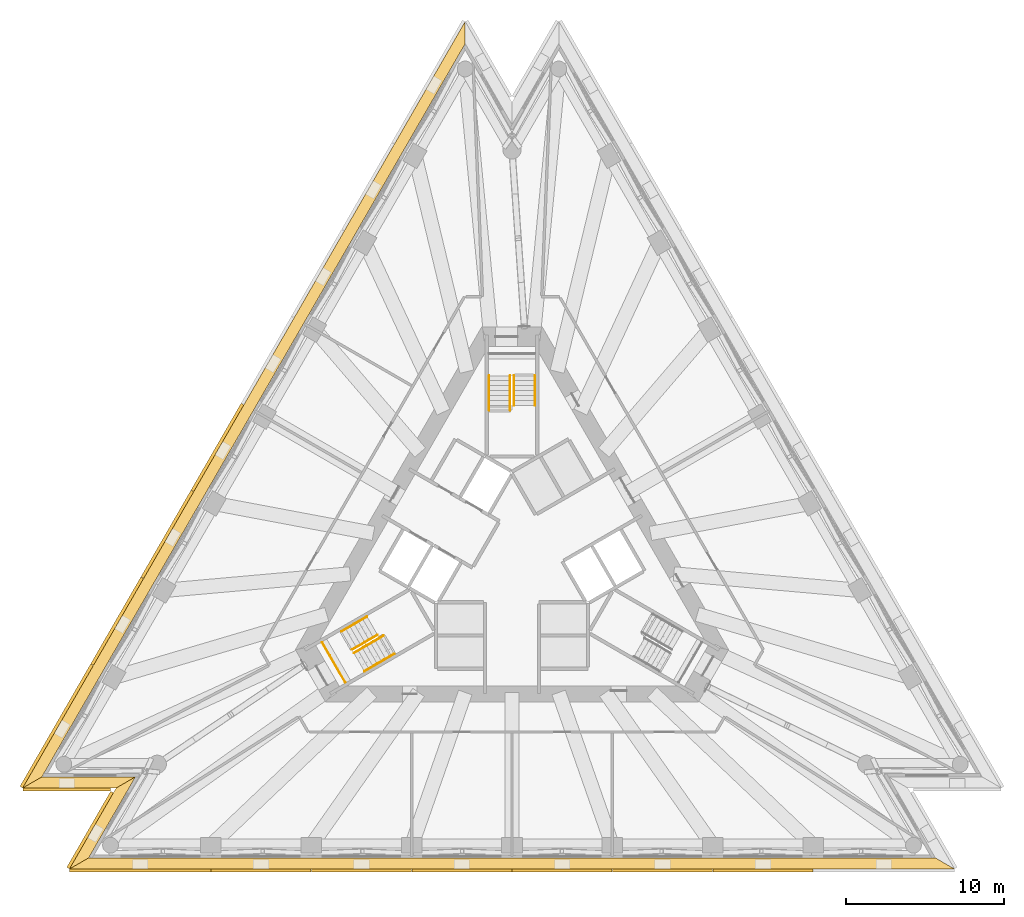
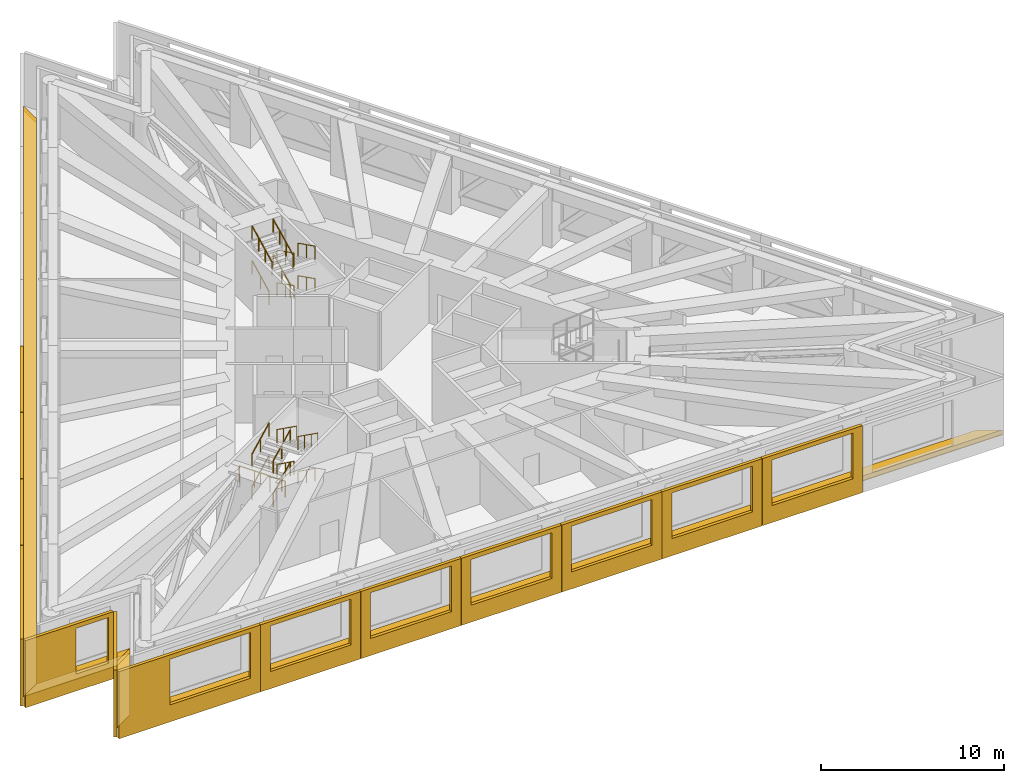
# One storey, part 11 of 12: 17 railings, 17 shading devices, 4 coverings, 2 elements without a shape of their own.
"""IFC4 building model written with IfcOpenShell, lengths in metres."""

from ifc_helpers import new_model, si_unit, direction, frame, origin, origin_2d, place, context, subcontext, project, spatial, polyline, circle, outline, extrude, material, layer, layer_set, layer_usage, type_object, element, aggregate, save


model = new_model("IFC4")

# Units and contexts
model_context = context("Model", 3, precision=1e-05, world=origin(), true_north=direction((0.0, 1.0)))
body_context = subcontext(model_context, "Body", "Model", "MODEL_VIEW")
ifc_project = project(units=[si_unit("LENGTHUNIT", "METRE"), si_unit("AREAUNIT", "SQUARE_METRE"), si_unit("VOLUMEUNIT", "CUBIC_METRE"), si_unit("PLANEANGLEUNIT", "RADIAN"), si_unit("MASSUNIT", "GRAM", prefix="KILO")], contexts=[model_context])

# Site, building, storey
site_placement = place(None, origin())
site = spatial("IfcSite", under=ifc_project, at=site_placement, CompositionType="ELEMENT")
building_placement = place(site_placement, origin())
building = spatial("IfcBuilding", under=site, at=building_placement, Name="Triada Interchange Tower", CompositionType="ELEMENT")
storey_placement = place(building_placement, frame((0.0, 0.0, 180.800048828125)))
storey = spatial("IfcBuildingStorey", under=building, at=storey_placement, Name="L42", CompositionType="ELEMENT", Elevation=180.800048828125)

# Coverings
ifc_material_1 = material(Name="Mineral fire-stop board")
ifc_layer_1 = layer(ifc_material_1, 0.0400390625, Name="Mineral fire-stop board")
ifc_material_2 = material(Name="Intumescent sealant")
ifc_layer_2 = layer(ifc_material_2, 0.010009765625, Name="Intumescent seal")
ifc_layer_set_1 = layer_set([ifc_layer_1, ifc_layer_2], Name="Cavity fire stop")
ifc_layer_usage = layer_usage(ifc_layer_set_1, "AXIS3", "POSITIVE", 0.0)
covering_type = type_object("IfcCoveringType", Name="Cavity fire stop", PredefinedType="INSULATION", material=ifc_layer_set_1)
covering_1_placement = place(storey_placement, origin())
element("IfcCovering", 1, at=covering_1_placement, inside=storey, type_object=covering_type, material=ifc_layer_usage, Name="Cavity fire stop L42 NW", PredefinedType="INSULATION", context=body_context, shape_type="SweptSolid", body=[
    extrude(outline(polyline([(-2.9541015625, 32.5849609375), (-2.9541015625, 33.985107421875), (-30.908935546875, -14.43408203125), (-29.697021484375, -13.73388671875), (-2.9541015625, 32.5849609375)])), origin(), (0.0, 0.0, 1.0), 0.050048828125),
])
covering_2_placement = place(storey_placement, origin())
element("IfcCovering", 2, at=covering_2_placement, inside=storey, type_object=covering_type, material=ifc_layer_usage, Name="Cavity fire stop L42 SW-1", PredefinedType="INSULATION", context=body_context, shape_type="SweptSolid", body=[
    extrude(outline(polyline([(-29.697021484375, -13.73388671875), (-30.908935546875, -14.43408203125), (-25.0009765625, -14.43408203125), (-23.7890625, -13.73388671875), (-29.697021484375, -13.73388671875)])), origin(), (0.0, 0.0, 1.0), 0.050048828125),
])
covering_3_placement = place(storey_placement, origin())
element("IfcCovering", 3, at=covering_3_placement, inside=storey, type_object=covering_type, material=ifc_layer_usage, Name="Cavity fire stop L42 SW-2", PredefinedType="INSULATION", context=body_context, shape_type="SweptSolid", body=[
    extrude(outline(polyline([(-23.7890625, -13.73388671875), (-25.0009765625, -14.43408203125), (-27.955078125, -19.551025390625), (-26.742919921875, -18.85107421875), (-23.7890625, -13.73388671875)])), origin(), (0.0, 0.0, 1.0), 0.050048828125),
])
covering_4_placement = place(storey_placement, origin())
element("IfcCovering", 4, at=covering_4_placement, inside=storey, type_object=covering_type, material=ifc_layer_usage, Name="Cavity fire stop L42 S", PredefinedType="INSULATION", context=body_context, shape_type="SweptSolid", body=[
    extrude(outline(polyline([(-26.742919921875, -18.85107421875), (-27.955078125, -19.551025390625), (27.955078125, -19.551025390625), (26.742919921875, -18.85107421875), (-26.742919921875, -18.85107421875)])), origin(), (0.0, 0.0, 1.0), 0.050048828125),
])

# Shading devices
ifc_material_3 = material(Name="Aluminium louvre", Category="aluminium")
shading_device_type_1 = type_object("IfcShadingDeviceType", Name="Cavity louvre grille", PredefinedType="JALOUSIE", material=ifc_material_3)
shading_device_1_placement = place(storey_placement, frame((0.0, 0.0, 0.050048828125)))
element("IfcShadingDevice", 5, at=shading_device_1_placement, inside=storey, type_object=shading_device_type_1, Name="Cavity louvre grille L42 NW", PredefinedType="JALOUSIE", context=body_context, shape_type="SweptSolid", body=[
    extrude(outline(polyline([(-2.9541015625, 32.5849609375), (-2.9541015625, 33.985107421875), (-30.908935546875, -14.43408203125), (-29.697021484375, -13.73388671875), (-2.9541015625, 32.5849609375)])), origin(), (0.0, 0.0, 1.0), 0.2998046875),
])
shading_device_2_placement = place(storey_placement, frame((0.0, 0.0, 0.050048828125)))
element("IfcShadingDevice", 6, at=shading_device_2_placement, inside=storey, type_object=shading_device_type_1, Name="Cavity louvre grille L42 SW-1", PredefinedType="JALOUSIE", context=body_context, shape_type="SweptSolid", body=[
    extrude(outline(polyline([(-29.697021484375, -13.73388671875), (-30.908935546875, -14.43408203125), (-25.0009765625, -14.43408203125), (-23.7890625, -13.73388671875), (-29.697021484375, -13.73388671875)])), origin(), (0.0, 0.0, 1.0), 0.2998046875),
])
shading_device_3_placement = place(storey_placement, frame((0.0, 0.0, 0.050048828125)))
element("IfcShadingDevice", 7, at=shading_device_3_placement, inside=storey, type_object=shading_device_type_1, Name="Cavity louvre grille L42 SW-2", PredefinedType="JALOUSIE", context=body_context, shape_type="SweptSolid", body=[
    extrude(outline(polyline([(-23.7890625, -13.73388671875), (-25.0009765625, -14.43408203125), (-27.955078125, -19.551025390625), (-26.742919921875, -18.85107421875), (-23.7890625, -13.73388671875)])), origin(), (0.0, 0.0, 1.0), 0.2998046875),
])
shading_device_4_placement = place(storey_placement, frame((0.0, 0.0, 0.050048828125)))
element("IfcShadingDevice", 8, at=shading_device_4_placement, inside=storey, type_object=shading_device_type_1, Name="Cavity louvre grille L42 S", PredefinedType="JALOUSIE", context=body_context, shape_type="SweptSolid", body=[
    extrude(outline(polyline([(-26.742919921875, -18.85107421875), (-27.955078125, -19.551025390625), (27.955078125, -19.551025390625), (26.742919921875, -18.85107421875), (-26.742919921875, -18.85107421875)])), origin(), (0.0, 0.0, 1.0), 0.2998046875),
])
ifc_material_4 = material(Name="Concrete C50/60 precast", Category="concrete")
ifc_layer_3 = layer(ifc_material_4, 0.02001953125, Name="Exposed aggregate face")
ifc_layer_4 = layer(ifc_material_4, 0.179931640625, Name="Precast concrete screen")
ifc_layer_set_2 = layer_set([ifc_layer_3, ifc_layer_4], Name="Outer skin screen panel 4480")
shading_device_type_2 = type_object("IfcShadingDeviceType", Name="Outer skin screen panel 4480", PredefinedType="SHUTTER", material=ifc_layer_set_2)
shading_device_5_placement = place(storey_placement, frame((-16.93701171875, 9.76708984375, -0.590087890625), z_axis=(0.0, 0.0, 1.0), x_axis=(-0.499882983218, -0.866092952915, 0.0)))
element("IfcShadingDevice", 9, at=shading_device_5_placement, inside=storey, type_object=shading_device_type_2, Name="Outer skin screen panel L42 05", PredefinedType="SHUTTER", context=body_context, shape_type="SweptSolid", body=[
    extrude(outline(polyline([(0.0, 0.0), (6.3193359375, 0.0), (6.3193359375, 4.47998046875), (0.0, 4.47998046875), (0.0, 0.0)]), holes=[polyline([(0.60986328125, 1.139892578125), (0.60986328125, 4.18994140625), (5.709716796875, 4.18994140625), (5.709716796875, 1.139892578125), (0.60986328125, 1.139892578125)])]), frame((0.0, 0.0, 0.0), z_axis=(0.0, -1.0, 0.0), x_axis=(1.0, 0.0, 0.0)), (0.0, 0.0, 1.0), 0.199951171875),
])
shading_device_6_placement = place(storey_placement, frame((-20.10595703125, 4.277099609375, -0.590087890625), z_axis=(0.0, 0.0, 1.0), x_axis=(-0.500027861653, -0.866009317254, 0.0)))
element("IfcShadingDevice", 10, at=shading_device_6_placement, inside=storey, type_object=shading_device_type_2, Name="Outer skin screen panel L42 06", PredefinedType="SHUTTER", context=body_context, shape_type="SweptSolid", body=[
    extrude(outline(polyline([(0.0, 0.0), (6.320068359375, 0.0), (6.320068359375, 4.47998046875), (0.0, 4.47998046875), (0.0, 0.0)]), holes=[polyline([(0.609619140625, 1.139892578125), (0.609619140625, 4.18994140625), (5.709716796875, 4.18994140625), (5.709716796875, 1.139892578125), (0.609619140625, 1.139892578125)])]), frame((0.0, 0.0, 0.0), z_axis=(0.0, -1.0, 0.0), x_axis=(1.0, 0.0, 0.0)), (0.0, 0.0, 1.0), 0.199951171875),
])
shading_device_7_placement = place(storey_placement, frame((-23.27587890625, -1.212890625, -0.590087890625), z_axis=(0.0, 0.0, 1.0), x_axis=(-0.499978876315, -0.866037599206, 0.0)))
element("IfcShadingDevice", 11, at=shading_device_7_placement, inside=storey, type_object=shading_device_type_2, Name="Outer skin screen panel L42 07", PredefinedType="SHUTTER", context=body_context, shape_type="SweptSolid", body=[
    extrude(outline(polyline([(0.0, 0.0), (6.318603515625, 0.0), (6.318603515625, 4.47998046875), (0.0, 4.47998046875), (0.0, 0.0)]), holes=[polyline([(0.609375, 1.139892578125), (0.609375, 4.18994140625), (5.70947265625, 4.18994140625), (5.70947265625, 1.139892578125), (0.609375, 1.139892578125)])]), frame((0.0, 0.0, 0.0), z_axis=(0.0, -1.0, 0.0), x_axis=(1.0, 0.0, 0.0)), (0.0, 0.0, 1.0), 0.199951171875),
])
shading_device_8_placement = place(storey_placement, frame((-26.446044921875, -6.702880859375, -0.590087890625), z_axis=(0.0, 0.0, 1.0), x_axis=(-0.499967368674, -0.86604424267, 0.0)))
element("IfcShadingDevice", 12, at=shading_device_8_placement, inside=storey, type_object=shading_device_type_2, Name="Outer skin screen panel L42 08", PredefinedType="SHUTTER", context=body_context, shape_type="SweptSolid", body=[
    extrude(outline(polyline([(0.0, 0.0), (8.91650390625, 0.0), (8.91650390625, 4.47998046875), (0.0, 4.47998046875), (0.0, 0.0)]), holes=[polyline([(0.609130859375, 1.139892578125), (0.609130859375, 4.18994140625), (5.709228515625, 4.18994140625), (5.709228515625, 1.139892578125), (0.609130859375, 1.139892578125)])]), frame((0.0, 0.0, 0.0), z_axis=(0.0, -1.0, 0.0), x_axis=(1.0, 0.0, 0.0)), (0.0, 0.0, 1.0), 0.199951171875),
])
shading_device_9_placement = place(storey_placement, frame((-30.89892578125, -14.43408203125, -0.590087890625), z_axis=(0.0, 0.0, 1.0), x_axis=(1.0, 0.0, 0.0)))
element("IfcShadingDevice", 13, at=shading_device_9_placement, inside=storey, type_object=shading_device_type_2, Name="Outer skin screen panel L42 09", PredefinedType="SHUTTER", context=body_context, shape_type="SweptSolid", body=[
    extrude(outline(polyline([(0.0, 0.0), (5.541015625, 0.0), (5.541015625, 4.47998046875), (0.0, 4.47998046875), (0.0, 0.0)]), holes=[polyline([(3.175048828125, 1.139892578125), (3.175048828125, 4.18994140625), (5.240966796875, 4.18994140625), (5.240966796875, 1.139892578125), (3.175048828125, 1.139892578125)])]), frame((0.0, 0.0, 0.0), z_axis=(0.0, -1.0, 0.0), x_axis=(1.0, 0.0, 0.0)), (0.0, 0.0, 1.0), 0.199951171875),
])
shading_device_10_placement = place(storey_placement, frame((-25.178955078125, -14.742919921875, -0.590087890625), z_axis=(0.0, 0.0, 1.0), x_axis=(-0.500033892615, -0.86600583499, 0.0)))
element("IfcShadingDevice", 14, at=shading_device_10_placement, inside=storey, type_object=shading_device_type_2, Name="Outer skin screen panel L42 10", PredefinedType="SHUTTER", context=body_context, shape_type="SweptSolid", body=[
    extrude(outline(polyline([(0.0, 0.0), (5.54150390625, 0.0), (5.54150390625, 4.47998046875), (0.0, 4.47998046875), (0.0, 0.0)]), holes=[polyline([(0.300048828125, 1.139892578125), (0.300048828125, 4.18994140625), (2.258056640625, 4.18994140625), (2.258056640625, 1.139892578125), (0.300048828125, 1.139892578125)])]), frame((0.0, 0.0, 0.0), z_axis=(0.0, -1.0, 0.0), x_axis=(1.0, 0.0, 0.0)), (0.0, 0.0, 1.0), 0.199951171875),
])
shading_device_11_placement = place(storey_placement, frame((-27.945068359375, -19.551025390625, -0.590087890625), z_axis=(0.0, 0.0, 1.0), x_axis=(1.0, 0.0, 0.0)))
element("IfcShadingDevice", 15, at=shading_device_11_placement, inside=storey, type_object=shading_device_type_2, Name="Outer skin screen panel L42 11", PredefinedType="SHUTTER", context=body_context, shape_type="SweptSolid", body=[
    extrude(outline(polyline([(0.0, 0.0), (8.9169921875, 0.0), (8.9169921875, 4.47998046875), (0.0, 4.47998046875), (0.0, 0.0)]), holes=[polyline([(3.2080078125, 1.139892578125), (3.2080078125, 4.18994140625), (8.30810546875, 4.18994140625), (8.30810546875, 1.139892578125), (3.2080078125, 1.139892578125)])]), frame((0.0, 0.0, 0.0), z_axis=(0.0, -1.0, 0.0), x_axis=(1.0, 0.0, 0.0)), (0.0, 0.0, 1.0), 0.199951171875),
])
shading_device_12_placement = place(storey_placement, frame((-19.008056640625, -19.551025390625, -0.590087890625), z_axis=(0.0, 0.0, 1.0), x_axis=(1.0, 0.0, 0.0)))
element("IfcShadingDevice", 16, at=shading_device_12_placement, inside=storey, type_object=shading_device_type_2, Name="Outer skin screen panel L42 12", PredefinedType="SHUTTER", context=body_context, shape_type="SweptSolid", body=[
    extrude(outline(polyline([(0.0, 0.0), (6.320068359375, 0.0), (6.320068359375, 4.47998046875), (0.0, 4.47998046875), (0.0, 0.0)]), holes=[polyline([(0.60986328125, 1.139892578125), (0.60986328125, 4.18994140625), (5.709716796875, 4.18994140625), (5.709716796875, 1.139892578125), (0.60986328125, 1.139892578125)])]), frame((0.0, 0.0, 0.0), z_axis=(0.0, -1.0, 0.0), x_axis=(1.0, 0.0, 0.0)), (0.0, 0.0, 1.0), 0.199951171875),
])
shading_device_13_placement = place(storey_placement, frame((-12.66796875, -19.551025390625, -0.590087890625), z_axis=(0.0, 0.0, 1.0), x_axis=(1.0, 0.0, 0.0)))
element("IfcShadingDevice", 17, at=shading_device_13_placement, inside=storey, type_object=shading_device_type_2, Name="Outer skin screen panel L42 13", PredefinedType="SHUTTER", context=body_context, shape_type="SweptSolid", body=[
    extrude(outline(polyline([(0.0, 0.0), (6.31884765625, 0.0), (6.31884765625, 4.47998046875), (0.0, 4.47998046875), (0.0, 0.0)]), holes=[polyline([(0.609619140625, 1.139892578125), (0.609619140625, 4.18994140625), (5.70947265625, 4.18994140625), (5.70947265625, 1.139892578125), (0.609619140625, 1.139892578125)])]), frame((0.0, 0.0, 0.0), z_axis=(0.0, -1.0, 0.0), x_axis=(1.0, 0.0, 0.0)), (0.0, 0.0, 1.0), 0.199951171875),
])
shading_device_14_placement = place(storey_placement, frame((-6.3291015625, -19.551025390625, -0.590087890625), z_axis=(0.0, 0.0, 1.0), x_axis=(1.0, 0.0, 0.0)))
element("IfcShadingDevice", 18, at=shading_device_14_placement, inside=storey, type_object=shading_device_type_2, Name="Outer skin screen panel L42 14", PredefinedType="SHUTTER", context=body_context, shape_type="SweptSolid", body=[
    extrude(outline(polyline([(0.0, 0.0), (6.319091796875, 0.0), (6.319091796875, 4.47998046875), (0.0, 4.47998046875), (0.0, 0.0)]), holes=[polyline([(0.609130859375, 1.139892578125), (0.609130859375, 4.18994140625), (5.709228515625, 4.18994140625), (5.709228515625, 1.139892578125), (0.609130859375, 1.139892578125)])]), frame((0.0, 0.0, 0.0), z_axis=(0.0, -1.0, 0.0), x_axis=(1.0, 0.0, 0.0)), (0.0, 0.0, 1.0), 0.199951171875),
])
shading_device_15_placement = place(storey_placement, frame((0.010009765625, -19.551025390625, -0.590087890625), z_axis=(0.0, 0.0, 1.0), x_axis=(1.0, 0.0, 0.0)))
element("IfcShadingDevice", 19, at=shading_device_15_placement, inside=storey, type_object=shading_device_type_2, Name="Outer skin screen panel L42 15", PredefinedType="SHUTTER", context=body_context, shape_type="SweptSolid", body=[
    extrude(outline(polyline([(0.0, 0.0), (6.319091796875, 0.0), (6.319091796875, 4.47998046875), (0.0, 4.47998046875), (0.0, 0.0)]), holes=[polyline([(0.610107421875, 1.139892578125), (0.610107421875, 4.18994140625), (5.7099609375, 4.18994140625), (5.7099609375, 1.139892578125), (0.610107421875, 1.139892578125)])]), frame((0.0, 0.0, 0.0), z_axis=(0.0, -1.0, 0.0), x_axis=(1.0, 0.0, 0.0)), (0.0, 0.0, 1.0), 0.199951171875),
])
shading_device_16_placement = place(storey_placement, frame((6.34912109375, -19.551025390625, -0.590087890625), z_axis=(0.0, 0.0, 1.0), x_axis=(1.0, 0.0, 0.0)))
element("IfcShadingDevice", 20, at=shading_device_16_placement, inside=storey, type_object=shading_device_type_2, Name="Outer skin screen panel L42 16", PredefinedType="SHUTTER", context=body_context, shape_type="SweptSolid", body=[
    extrude(outline(polyline([(0.0, 0.0), (6.31884765625, 0.0), (6.31884765625, 4.47998046875), (0.0, 4.47998046875), (0.0, 0.0)]), holes=[polyline([(0.609619140625, 1.139892578125), (0.609619140625, 4.18994140625), (5.709716796875, 4.18994140625), (5.709716796875, 1.139892578125), (0.609619140625, 1.139892578125)])]), frame((0.0, 0.0, 0.0), z_axis=(0.0, -1.0, 0.0), x_axis=(1.0, 0.0, 0.0)), (0.0, 0.0, 1.0), 0.199951171875),
])
shading_device_17_placement = place(storey_placement, frame((12.68798828125, -19.551025390625, -0.590087890625), z_axis=(0.0, 0.0, 1.0), x_axis=(1.0, 0.0, 0.0)))
element("IfcShadingDevice", 21, at=shading_device_17_placement, inside=storey, type_object=shading_device_type_2, Name="Outer skin screen panel L42 17", PredefinedType="SHUTTER", context=body_context, shape_type="SweptSolid", body=[
    extrude(outline(polyline([(0.0, 0.0), (6.320068359375, 0.0), (6.320068359375, 4.47998046875), (0.0, 4.47998046875), (0.0, 0.0)]), holes=[polyline([(0.609619140625, 1.139892578125), (0.609619140625, 4.18994140625), (5.70947265625, 4.18994140625), (5.70947265625, 1.139892578125), (0.609619140625, 1.139892578125)])]), frame((0.0, 0.0, 0.0), z_axis=(0.0, -1.0, 0.0), x_axis=(1.0, 0.0, 0.0)), (0.0, 0.0, 1.0), 0.199951171875),
])

# Stair, railing
ifc_material_5 = material(Name="Concrete C35/45", Category="concrete")
stair_type = type_object("IfcStairType", Name="HALF TURN STAIR 1400", PredefinedType="HALF_TURN_STAIR", material=ifc_material_5)
stair_1_placement = place(storey_placement, origin())
stair_1 = element("IfcStair", 22, at=stair_1_placement, inside=storey, type_object=stair_type, Name="Exit stair S42-2", PredefinedType="HALF_TURN_STAIR")
ifc_material_6 = material(Name="Stainless steel 1.4301", Category="steel")
railing_type_1 = type_object("IfcRailingType", Name="STAIR GUARD 1100", PredefinedType="GUARDRAIL", material=ifc_material_6)
railing_1_placement = place(storey_placement, frame((-11.98291015625, -5.243896484375, 2.17236328125)))
railing_1 = element("IfcRailing", 23, at=railing_1_placement, type_object=railing_type_1, Name="Guard S42-2 1", PredefinedType="GUARDRAIL", context=body_context, shape_type="SweptSolid", body=[
    extrude(circle(Radius=0.02392578125, at=origin_2d()), frame((0.0, 0.0, 1.076171875), z_axis=(0.499877891294, -0.866095891802, 0.0), x_axis=(0.866095891802, 0.499877891294, 0.0)), (0.0, 0.0, 1.0), 2.900634765625),
    extrude(circle(Radius=0.02099609375, at=origin_2d()), origin(), (0.0, 0.0, 1.0), 1.052001953125),
    extrude(circle(Radius=0.02099609375, at=origin_2d()), frame((0.4833984375, -0.83740234375, 0.0)), (0.0, 0.0, 1.0), 1.052001953125),
    extrude(circle(Radius=0.02099609375, at=origin_2d()), frame((0.966552734375, -1.6748046875, 0.0)), (0.0, 0.0, 1.0), 1.052001953125),
    extrude(circle(Radius=0.02099609375, at=origin_2d()), frame((1.449951171875, -2.51220703125, 0.0)), (0.0, 0.0, 1.0), 1.052001953125),
])

# Stair, railings
stair_2_placement = place(storey_placement, origin())
stair_2 = element("IfcStair", 24, at=stair_2_placement, inside=storey, type_object=stair_type, Name="Exit stair S42-1", PredefinedType="HALF_TURN_STAIR")
railing_type_2 = type_object("IfcRailingType", Name="STAIR HANDRAIL 900", PredefinedType="HANDRAIL", material=ifc_material_6)
railing_2_placement = place(storey_placement, frame((1.449951171875, 11.60009765625, 0.155029296875)))
railing_2 = element("IfcRailing", 25, at=railing_2_placement, type_object=railing_type_2, Name="Handrail S42-1 1W", PredefinedType="HANDRAIL", context=body_context, shape_type="SweptSolid", body=[
    extrude(circle(Radius=0.02392578125, at=origin_2d()), frame((0.0, 0.0, 0.8759765625), z_axis=(0.0, -0.894215831392, 0.447636065222), x_axis=(1.0, 0.0, 0.0)), (0.0, 0.0, 1.0), 2.080078125),
    extrude(circle(Radius=0.02099609375, at=origin_2d()), origin(), (0.0, 0.0, 1.0), 0.851806640625),
    extrude(circle(Radius=0.02099609375, at=origin_2d()), frame((0.0, -0.93017578125, 0.465576171875)), (0.0, 0.0, 1.0), 0.851806640625),
    extrude(circle(Radius=0.02099609375, at=origin_2d()), frame((0.0, -1.860107421875, 0.93115234375)), (0.0, 0.0, 1.0), 0.851806640625),
])
railing_3_placement = place(storey_placement, frame((0.1201171875, 11.60009765625, 0.155029296875)))
railing_3 = element("IfcRailing", 26, at=railing_3_placement, type_object=railing_type_2, Name="Handrail S42-1 1C", PredefinedType="HANDRAIL", context=body_context, shape_type="SweptSolid", body=[
    extrude(circle(Radius=0.02392578125, at=origin_2d()), frame((0.0, 0.0, 0.8759765625), z_axis=(0.0, -0.894215831392, 0.447636065222), x_axis=(1.0, 0.0, 0.0)), (0.0, 0.0, 1.0), 2.080078125),
    extrude(circle(Radius=0.02099609375, at=origin_2d()), origin(), (0.0, 0.0, 1.0), 0.851806640625),
    extrude(circle(Radius=0.02099609375, at=origin_2d()), frame((0.0, -0.93017578125, 0.465576171875)), (0.0, 0.0, 1.0), 0.851806640625),
    extrude(circle(Radius=0.02099609375, at=origin_2d()), frame((0.0, -1.860107421875, 0.93115234375)), (0.0, 0.0, 1.0), 0.851806640625),
])
railing_4_placement = place(storey_placement, frame((-1.449951171875, 9.739990234375, 1.241455078125)))
railing_4 = element("IfcRailing", 27, at=railing_4_placement, type_object=railing_type_2, Name="Handrail S42-1 2W", PredefinedType="HANDRAIL", context=body_context, shape_type="SweptSolid", body=[
    extrude(circle(Radius=0.02392578125, at=origin_2d()), frame((0.0, 0.0, 0.8759765625), z_axis=(0.0, 0.894262808804, 0.447542208947), x_axis=(-1.0, 0.0, 0.0)), (0.0, 0.0, 1.0), 2.080078125),
    extrude(circle(Radius=0.02099609375, at=origin_2d()), origin(), (0.0, 0.0, 1.0), 0.851806640625),
    extrude(circle(Radius=0.02099609375, at=origin_2d()), frame((0.0, 0.93017578125, 0.46533203125)), (0.0, 0.0, 1.0), 0.851806640625),
    extrude(circle(Radius=0.02099609375, at=origin_2d()), frame((0.0, 1.860107421875, 0.930908203125)), (0.0, 0.0, 1.0), 0.851806640625),
])
railing_5_placement = place(storey_placement, frame((-0.1201171875, 9.739990234375, 1.241455078125)))
railing_5 = element("IfcRailing", 28, at=railing_5_placement, type_object=railing_type_2, Name="Handrail S42-1 2C", PredefinedType="HANDRAIL", context=body_context, shape_type="SweptSolid", body=[
    extrude(circle(Radius=0.02392578125, at=origin_2d()), frame((0.0, 0.0, 0.8759765625), z_axis=(0.0, 0.894262808804, 0.447542208947), x_axis=(-1.0, 0.0, 0.0)), (0.0, 0.0, 1.0), 2.080078125),
    extrude(circle(Radius=0.02099609375, at=origin_2d()), origin(), (0.0, 0.0, 1.0), 0.851806640625),
    extrude(circle(Radius=0.02099609375, at=origin_2d()), frame((0.0, 0.93017578125, 0.46533203125)), (0.0, 0.0, 1.0), 0.851806640625),
    extrude(circle(Radius=0.02099609375, at=origin_2d()), frame((0.0, 1.860107421875, 0.930908203125)), (0.0, 0.0, 1.0), 0.851806640625),
])
railing_6_placement = place(storey_placement, frame((1.449951171875, 11.60009765625, 2.32763671875)))
railing_6 = element("IfcRailing", 29, at=railing_6_placement, type_object=railing_type_2, Name="Handrail S42-1 3W", PredefinedType="HANDRAIL", context=body_context, shape_type="SweptSolid", body=[
    extrude(circle(Radius=0.02392578125, at=origin_2d()), frame((0.0, 0.0, 0.8759765625), z_axis=(0.0, -0.894262808804, 0.447542208947), x_axis=(1.0, 0.0, 0.0)), (0.0, 0.0, 1.0), 2.080078125),
    extrude(circle(Radius=0.02099609375, at=origin_2d()), origin(), (0.0, 0.0, 1.0), 0.851806640625),
    extrude(circle(Radius=0.02099609375, at=origin_2d()), frame((0.0, -0.93017578125, 0.46533203125)), (0.0, 0.0, 1.0), 0.851806640625),
    extrude(circle(Radius=0.02099609375, at=origin_2d()), frame((0.0, -1.860107421875, 0.930908203125)), (0.0, 0.0, 1.0), 0.851806640625),
])
railing_7_placement = place(storey_placement, frame((0.1201171875, 11.60009765625, 2.32763671875)))
railing_7 = element("IfcRailing", 30, at=railing_7_placement, type_object=railing_type_2, Name="Handrail S42-1 3C", PredefinedType="HANDRAIL", context=body_context, shape_type="SweptSolid", body=[
    extrude(circle(Radius=0.02392578125, at=origin_2d()), frame((0.0, 0.0, 0.8759765625), z_axis=(0.0, -0.894262808804, 0.447542208947), x_axis=(1.0, 0.0, 0.0)), (0.0, 0.0, 1.0), 2.080078125),
    extrude(circle(Radius=0.02099609375, at=origin_2d()), origin(), (0.0, 0.0, 1.0), 0.851806640625),
    extrude(circle(Radius=0.02099609375, at=origin_2d()), frame((0.0, -0.93017578125, 0.46533203125)), (0.0, 0.0, 1.0), 0.851806640625),
    extrude(circle(Radius=0.02099609375, at=origin_2d()), frame((0.0, -1.860107421875, 0.930908203125)), (0.0, 0.0, 1.0), 0.851806640625),
])
railing_8_placement = place(storey_placement, frame((-1.449951171875, 9.429931640625, 3.413818359375)))
railing_8 = element("IfcRailing", 31, at=railing_8_placement, type_object=railing_type_2, Name="Handrail S42-1 4W", PredefinedType="HANDRAIL", context=body_context, shape_type="SweptSolid", body=[
    extrude(circle(Radius=0.02392578125, at=origin_2d()), frame((0.0, 0.0, 0.8759765625), z_axis=(0.0, 0.894246035119, 0.447575723956), x_axis=(-1.0, 0.0, 0.0)), (0.0, 0.0, 1.0), 2.4267578125),
    extrude(circle(Radius=0.02099609375, at=origin_2d()), origin(), (0.0, 0.0, 1.0), 0.851806640625),
    extrude(circle(Radius=0.02099609375, at=origin_2d()), frame((0.0, 0.723388671875, 0.362060546875)), (0.0, 0.0, 1.0), 0.851806640625),
    extrude(circle(Radius=0.02099609375, at=origin_2d()), frame((0.0, 1.44677734375, 0.72412109375)), (0.0, 0.0, 1.0), 0.851806640625),
    extrude(circle(Radius=0.02099609375, at=origin_2d()), frame((0.0, 2.170166015625, 1.086181640625)), (0.0, 0.0, 1.0), 0.851806640625),
])
railing_9_placement = place(storey_placement, frame((-0.1201171875, 9.429931640625, 3.413818359375)))
railing_9 = element("IfcRailing", 32, at=railing_9_placement, type_object=railing_type_2, Name="Handrail S42-1 4C", PredefinedType="HANDRAIL", context=body_context, shape_type="SweptSolid", body=[
    extrude(circle(Radius=0.02392578125, at=origin_2d()), frame((0.0, 0.0, 0.8759765625), z_axis=(0.0, 0.894246035119, 0.447575723956), x_axis=(-1.0, 0.0, 0.0)), (0.0, 0.0, 1.0), 2.4267578125),
    extrude(circle(Radius=0.02099609375, at=origin_2d()), origin(), (0.0, 0.0, 1.0), 0.851806640625),
    extrude(circle(Radius=0.02099609375, at=origin_2d()), frame((0.0, 0.723388671875, 0.362060546875)), (0.0, 0.0, 1.0), 0.851806640625),
    extrude(circle(Radius=0.02099609375, at=origin_2d()), frame((0.0, 1.44677734375, 0.72412109375)), (0.0, 0.0, 1.0), 0.851806640625),
    extrude(circle(Radius=0.02099609375, at=origin_2d()), frame((0.0, 2.170166015625, 1.086181640625)), (0.0, 0.0, 1.0), 0.851806640625),
])
aggregate(stair_2, [railing_2, railing_3, railing_4, railing_5, railing_6, railing_7, railing_8, railing_9])

# Railing
railing_10_placement = place(storey_placement, frame((-10.77099609375, -4.5439453125, 0.155029296875)))
railing_10 = element("IfcRailing", 33, at=railing_10_placement, type_object=railing_type_2, Name="Handrail S42-2 1W", PredefinedType="HANDRAIL", context=body_context, shape_type="SweptSolid", body=[
    extrude(circle(Radius=0.02392578125, at=origin_2d()), frame((0.0, 0.0, 0.8759765625), z_axis=(0.774469289278, 0.447030386856, 0.447617194925), x_axis=(-0.499908018857, 0.866078502609, 0.0)), (0.0, 0.0, 1.0), 2.080322265625),
    extrude(circle(Radius=0.02099609375, at=origin_2d()), origin(), (0.0, 0.0, 1.0), 0.851806640625),
    extrude(circle(Radius=0.02099609375, at=origin_2d()), frame((0.8056640625, 0.46484375, 0.465576171875)), (0.0, 0.0, 1.0), 0.851806640625),
    extrude(circle(Radius=0.02099609375, at=origin_2d()), frame((1.611083984375, 0.929931640625, 0.93115234375)), (0.0, 0.0, 1.0), 0.851806640625),
])

railing_11_placement = place(storey_placement, frame((-10.10595703125, -5.696044921875, 0.155029296875)))
railing_11 = element("IfcRailing", 34, at=railing_11_placement, type_object=railing_type_2, Name="Handrail S42-2 1C", PredefinedType="HANDRAIL", context=body_context, shape_type="SweptSolid", body=[
    extrude(circle(Radius=0.02392578125, at=origin_2d()), frame((0.0, 0.0, 0.8759765625), z_axis=(0.774422315071, 0.447071021234, 0.447657882643), x_axis=(-0.499964847546, 0.866045698112, 0.0)), (0.0, 0.0, 1.0), 2.080078125),
    extrude(circle(Radius=0.02099609375, at=origin_2d()), origin(), (0.0, 0.0, 1.0), 0.851806640625),
    extrude(circle(Radius=0.02099609375, at=origin_2d()), frame((0.805419921875, 0.46484375, 0.465576171875)), (0.0, 0.0, 1.0), 0.851806640625),
    extrude(circle(Radius=0.02099609375, at=origin_2d()), frame((1.61083984375, 0.929931640625, 0.93115234375)), (0.0, 0.0, 1.0), 0.851806640625),
])

railing_12_placement = place(storey_placement, frame((-7.7099609375, -6.1259765625, 1.241455078125)))
railing_12 = element("IfcRailing", 35, at=railing_12_placement, type_object=railing_type_2, Name="Handrail S42-2 2W", PredefinedType="HANDRAIL", context=body_context, shape_type="SweptSolid", body=[
    extrude(circle(Radius=0.02392578125, at=origin_2d()), frame((0.0, 0.0, 0.8759765625), z_axis=(-0.774509972404, -0.447053869509, 0.447523340624), x_axis=(0.499908018857, -0.866078502609, 0.0)), (0.0, 0.0, 1.0), 2.080078125),
    extrude(circle(Radius=0.02099609375, at=origin_2d()), origin(), (0.0, 0.0, 1.0), 0.851806640625),
    extrude(circle(Radius=0.02099609375, at=origin_2d()), frame((-0.8056640625, -0.46484375, 0.46533203125)), (0.0, 0.0, 1.0), 0.851806640625),
    extrude(circle(Radius=0.02099609375, at=origin_2d()), frame((-1.611083984375, -0.929931640625, 0.930908203125)), (0.0, 0.0, 1.0), 0.851806640625),
])

railing_13_placement = place(storey_placement, frame((-8.375, -4.97412109375, 1.241455078125)))
railing_13 = element("IfcRailing", 36, at=railing_13_placement, type_object=railing_type_2, Name="Handrail S42-2 2C", PredefinedType="HANDRAIL", context=body_context, shape_type="SweptSolid", body=[
    extrude(circle(Radius=0.02392578125, at=origin_2d()), frame((0.0, 0.0, 0.8759765625), z_axis=(-0.774509972404, -0.447053869509, 0.447523340624), x_axis=(0.499908018857, -0.866078502609, 0.0)), (0.0, 0.0, 1.0), 2.080078125),
    extrude(circle(Radius=0.02099609375, at=origin_2d()), origin(), (0.0, 0.0, 1.0), 0.851806640625),
    extrude(circle(Radius=0.02099609375, at=origin_2d()), frame((-0.8056640625, -0.46484375, 0.46533203125)), (0.0, 0.0, 1.0), 0.851806640625),
    extrude(circle(Radius=0.02099609375, at=origin_2d()), frame((-1.611083984375, -0.929931640625, 0.930908203125)), (0.0, 0.0, 1.0), 0.851806640625),
])

railing_14_placement = place(storey_placement, frame((-10.77099609375, -4.5439453125, 2.32763671875)))
railing_14 = element("IfcRailing", 37, at=railing_14_placement, type_object=railing_type_2, Name="Handrail S42-2 3W", PredefinedType="HANDRAIL", context=body_context, shape_type="SweptSolid", body=[
    extrude(circle(Radius=0.02392578125, at=origin_2d()), frame((0.0, 0.0, 0.8759765625), z_axis=(0.774509972404, 0.447053869509, 0.447523340624), x_axis=(-0.499908018857, 0.866078502609, 0.0)), (0.0, 0.0, 1.0), 2.080078125),
    extrude(circle(Radius=0.02099609375, at=origin_2d()), origin(), (0.0, 0.0, 1.0), 0.851806640625),
    extrude(circle(Radius=0.02099609375, at=origin_2d()), frame((0.8056640625, 0.46484375, 0.46533203125)), (0.0, 0.0, 1.0), 0.851806640625),
    extrude(circle(Radius=0.02099609375, at=origin_2d()), frame((1.611083984375, 0.929931640625, 0.930908203125)), (0.0, 0.0, 1.0), 0.851806640625),
])

railing_15_placement = place(storey_placement, frame((-10.10595703125, -5.696044921875, 2.32763671875)))
railing_15 = element("IfcRailing", 38, at=railing_15_placement, type_object=railing_type_2, Name="Handrail S42-2 3C", PredefinedType="HANDRAIL", context=body_context, shape_type="SweptSolid", body=[
    extrude(circle(Radius=0.02392578125, at=origin_2d()), frame((0.0, 0.0, 0.8759765625), z_axis=(0.774463003126, 0.447094510292, 0.447564024086), x_axis=(-0.499964847546, 0.866045698112, 0.0)), (0.0, 0.0, 1.0), 2.079833984375),
    extrude(circle(Radius=0.02099609375, at=origin_2d()), origin(), (0.0, 0.0, 1.0), 0.851806640625),
    extrude(circle(Radius=0.02099609375, at=origin_2d()), frame((0.805419921875, 0.46484375, 0.46533203125)), (0.0, 0.0, 1.0), 0.851806640625),
    extrude(circle(Radius=0.02099609375, at=origin_2d()), frame((1.61083984375, 0.929931640625, 0.930908203125)), (0.0, 0.0, 1.0), 0.851806640625),
])

railing_16_placement = place(storey_placement, frame((-7.44189453125, -5.970947265625, 3.413818359375)))
railing_16 = element("IfcRailing", 39, at=railing_16_placement, type_object=railing_type_2, Name="Handrail S42-2 4W", PredefinedType="HANDRAIL", context=body_context, shape_type="SweptSolid", body=[
    extrude(circle(Radius=0.02392578125, at=origin_2d()), frame((0.0, 0.0, 0.8759765625), z_axis=(-0.774412913132, -0.447121084313, 0.447624145839), x_axis=(0.500011390128, -0.866018827591, 0.0)), (0.0, 0.0, 1.0), 2.426513671875),
    extrude(circle(Radius=0.02099609375, at=origin_2d()), origin(), (0.0, 0.0, 1.0), 0.851806640625),
    extrude(circle(Radius=0.02099609375, at=origin_2d()), frame((-0.62646484375, -0.361572265625, 0.362060546875)), (0.0, 0.0, 1.0), 0.851806640625),
    extrude(circle(Radius=0.02099609375, at=origin_2d()), frame((-1.252685546875, -0.723388671875, 0.72412109375)), (0.0, 0.0, 1.0), 0.851806640625),
    extrude(circle(Radius=0.02099609375, at=origin_2d()), frame((-1.879150390625, -1.0849609375, 1.086181640625)), (0.0, 0.0, 1.0), 0.851806640625),
])

railing_17_placement = place(storey_placement, frame((-8.10693359375, -4.819091796875, 3.413818359375)))
railing_17 = element("IfcRailing", 40, at=railing_17_placement, type_object=railing_type_2, Name="Handrail S42-2 4C", PredefinedType="HANDRAIL", context=body_context, shape_type="SweptSolid", body=[
    extrude(circle(Radius=0.02392578125, at=origin_2d()), frame((0.0, 0.0, 0.8759765625), z_axis=(-0.774412913132, -0.447121084313, 0.447624145839), x_axis=(0.500011390128, -0.866018827591, 0.0)), (0.0, 0.0, 1.0), 2.426513671875),
    extrude(circle(Radius=0.02099609375, at=origin_2d()), origin(), (0.0, 0.0, 1.0), 0.851806640625),
    extrude(circle(Radius=0.02099609375, at=origin_2d()), frame((-0.62646484375, -0.361572265625, 0.362060546875)), (0.0, 0.0, 1.0), 0.851806640625),
    extrude(circle(Radius=0.02099609375, at=origin_2d()), frame((-1.252685546875, -0.723388671875, 0.72412109375)), (0.0, 0.0, 1.0), 0.851806640625),
    extrude(circle(Radius=0.02099609375, at=origin_2d()), frame((-1.879150390625, -1.0849609375, 1.086181640625)), (0.0, 0.0, 1.0), 0.851806640625),
])

aggregate(stair_1, [railing_10, railing_11, railing_12, railing_13, railing_14, railing_15, railing_16, railing_17, railing_1])

save(model, "model.ifc")
